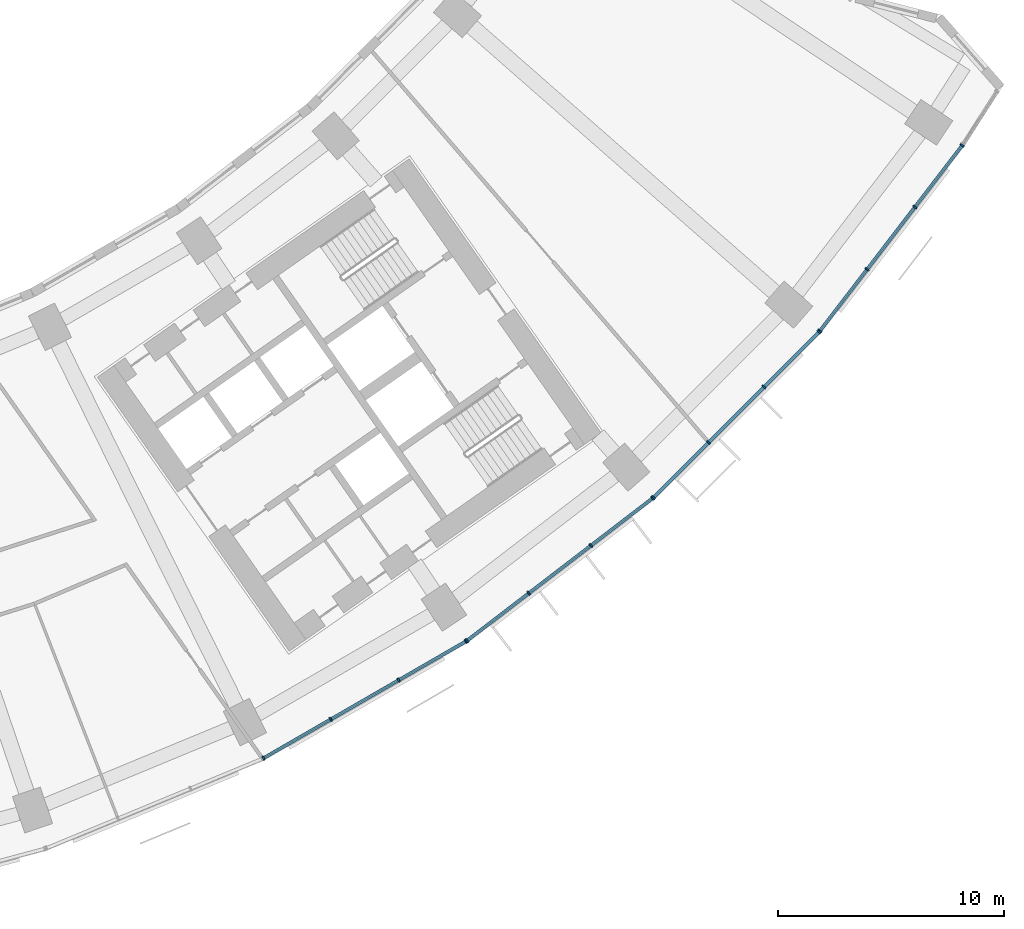
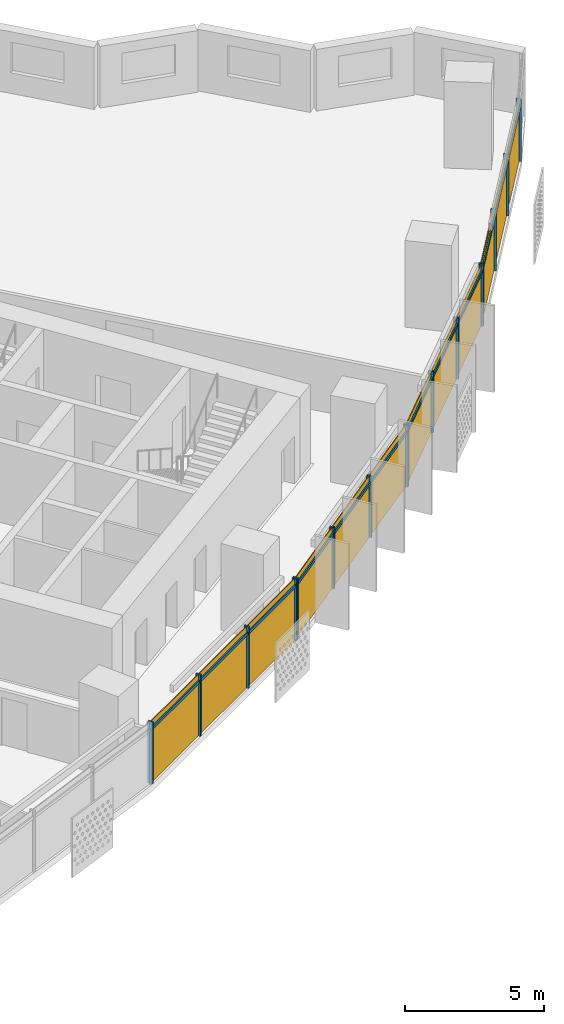
# One storey, part 23 of 31: 28 members, 4 curtain walls.
"""IFC4 building model written with IfcOpenShell, lengths in metres."""

from ifc_helpers import new_model, si_unit, direction, frame, origin, origin_2d, place, context, subcontext, project, spatial, rectangle, extrude, material, material_profile, profile_set, type_object, element, aggregate, save


model = new_model("IFC4")

# Units and contexts
model_context = context("Model", 3, precision=1e-05, world=origin(), true_north=direction((0.0, 1.0)))
body_context = subcontext(model_context, "Body", "Model", "MODEL_VIEW")
ifc_project = project(units=[si_unit("LENGTHUNIT", "METRE"), si_unit("AREAUNIT", "SQUARE_METRE"), si_unit("VOLUMEUNIT", "CUBIC_METRE"), si_unit("PLANEANGLEUNIT", "RADIAN"), si_unit("MASSUNIT", "GRAM", prefix="KILO")], contexts=[model_context])

# Member
ifc_material = material(Name="Aluminium 6063-T6 anodised", Category="aluminium")
ifc_material_profile_1 = material_profile(ifc_material, rectangle(XDim=0.199951171875, YDim=0.070068359375, at=origin_2d()))
ifc_profile_set_1 = profile_set([ifc_material_profile_1], Name="Aluminium 6063-T6 anodised")
member_type_1 = type_object("IfcMemberType", Name="Mullion 70 x 200 aluminium", PredefinedType="MULLION", material=ifc_profile_set_1)
site_placement = place(None, origin())
building_placement = place(site_placement, origin())
storey_placement = place(building_placement, frame((0.0, 0.0, 74.699951171875)))
member_1_placement = place(storey_placement, frame((35.20849609375, -71.331787109375, 0.0), z_axis=(0.0, 0.0, 1.0), x_axis=(-0.5, 0.866025403784, 0.0)))
member_1 = element("IfcMember", 1, at=member_1_placement, type_object=member_type_1, Name="e-cw1-L15-out12/M00", PredefinedType="MULLION", context=body_context, shape_type="SweptSolid", body=[
    extrude(rectangle(XDim=0.199951171875, YDim=0.070068359375, at=origin_2d()), origin(), (0.0, 0.0, 1.0), 2.699951171875),
])

member_2_placement = place(storey_placement, frame((38.18603515625, -69.61279296875, 0.0), z_axis=(0.0, 0.0, 1.0), x_axis=(-0.5, 0.866025403784, 0.0)))
member_2 = element("IfcMember", 2, at=member_2_placement, type_object=member_type_1, Name="e-cw1-L15-out12/M01", PredefinedType="MULLION", context=body_context, shape_type="SweptSolid", body=[
    extrude(rectangle(XDim=0.199951171875, YDim=0.070068359375, at=origin_2d()), origin(), (0.0, 0.0, 1.0), 2.699951171875),
])

member_3_placement = place(storey_placement, frame((41.193603515625, -67.87646484375, 0.0), z_axis=(0.0, 0.0, 1.0), x_axis=(-0.5, 0.866025403784, 0.0)))
member_3 = element("IfcMember", 3, at=member_3_placement, type_object=member_type_1, Name="e-cw1-L15-out12/M02", PredefinedType="MULLION", context=body_context, shape_type="SweptSolid", body=[
    extrude(rectangle(XDim=0.199951171875, YDim=0.070068359375, at=origin_2d()), origin(), (0.0, 0.0, 1.0), 2.699951171875),
])

member_4_placement = place(storey_placement, frame((44.1708984375, -66.157470703125, 0.0), z_axis=(0.0, 0.0, 1.0), x_axis=(-0.5, 0.866025403784, 0.0)))
member_4 = element("IfcMember", 4, at=member_4_placement, type_object=member_type_1, Name="e-cw1-L15-out12/M03", PredefinedType="MULLION", context=body_context, shape_type="SweptSolid", body=[
    extrude(rectangle(XDim=0.199951171875, YDim=0.070068359375, at=origin_2d()), origin(), (0.0, 0.0, 1.0), 2.699951171875),
])

member_5_placement = place(storey_placement, frame((44.218017578125, -66.1259765625, 0.0), z_axis=(0.0, 0.0, 1.0), x_axis=(-0.608761429009, 0.793353340291, 0.0)))
member_5 = element("IfcMember", 5, at=member_5_placement, type_object=member_type_1, Name="e-cw1-L15-out13/M00", PredefinedType="MULLION", context=body_context, shape_type="SweptSolid", body=[
    extrude(rectangle(XDim=0.199951171875, YDim=0.070068359375, at=origin_2d()), origin(), (0.0, 0.0, 1.0), 2.699951171875),
])

member_6_placement = place(storey_placement, frame((46.945556640625, -64.032958984375, 0.0), z_axis=(0.0, 0.0, 1.0), x_axis=(-0.608761429009, 0.793353340291, 0.0)))
member_6 = element("IfcMember", 6, at=member_6_placement, type_object=member_type_1, Name="e-cw1-L15-out13/M01", PredefinedType="MULLION", context=body_context, shape_type="SweptSolid", body=[
    extrude(rectangle(XDim=0.199951171875, YDim=0.070068359375, at=origin_2d()), origin(), (0.0, 0.0, 1.0), 2.699951171875),
])

member_7_placement = place(storey_placement, frame((49.70068359375, -61.9189453125, 0.0), z_axis=(0.0, 0.0, 1.0), x_axis=(-0.608761429009, 0.793353340291, 0.0)))
member_7 = element("IfcMember", 7, at=member_7_placement, type_object=member_type_1, Name="e-cw1-L15-out13/M02", PredefinedType="MULLION", context=body_context, shape_type="SweptSolid", body=[
    extrude(rectangle(XDim=0.199951171875, YDim=0.070068359375, at=origin_2d()), origin(), (0.0, 0.0, 1.0), 2.699951171875),
])

member_8_placement = place(storey_placement, frame((52.42822265625, -59.825927734375, 0.0), z_axis=(0.0, 0.0, 1.0), x_axis=(-0.608761429009, 0.793353340291, 0.0)))
member_8 = element("IfcMember", 8, at=member_8_placement, type_object=member_type_1, Name="e-cw1-L15-out13/M03", PredefinedType="MULLION", context=body_context, shape_type="SweptSolid", body=[
    extrude(rectangle(XDim=0.199951171875, YDim=0.070068359375, at=origin_2d()), origin(), (0.0, 0.0, 1.0), 2.699951171875),
])

member_9_placement = place(storey_placement, frame((52.470947265625, -59.78857421875, 0.0), z_axis=(0.0, 0.0, 1.0), x_axis=(-0.707106781187, 0.707106781187, 0.0)))
member_9 = element("IfcMember", 9, at=member_9_placement, type_object=member_type_1, Name="e-cw1-L15-out14/M00", PredefinedType="MULLION", context=body_context, shape_type="SweptSolid", body=[
    extrude(rectangle(XDim=0.199951171875, YDim=0.070068359375, at=origin_2d()), origin(), (0.0, 0.0, 1.0), 2.699951171875),
])

member_10_placement = place(storey_placement, frame((54.90185546875, -57.357666015625, 0.0), z_axis=(0.0, 0.0, 1.0), x_axis=(-0.707106781187, 0.707106781187, 0.0)))
member_10 = element("IfcMember", 10, at=member_10_placement, type_object=member_type_1, Name="e-cw1-L15-out14/M01", PredefinedType="MULLION", context=body_context, shape_type="SweptSolid", body=[
    extrude(rectangle(XDim=0.199951171875, YDim=0.070068359375, at=origin_2d()), origin(), (0.0, 0.0, 1.0), 2.699951171875),
])

member_11_placement = place(storey_placement, frame((57.357666015625, -54.90185546875, 0.0), z_axis=(0.0, 0.0, 1.0), x_axis=(-0.707106781187, 0.707106781187, 0.0)))
member_11 = element("IfcMember", 11, at=member_11_placement, type_object=member_type_1, Name="e-cw1-L15-out14/M02", PredefinedType="MULLION", context=body_context, shape_type="SweptSolid", body=[
    extrude(rectangle(XDim=0.199951171875, YDim=0.070068359375, at=origin_2d()), origin(), (0.0, 0.0, 1.0), 2.699951171875),
])

member_12_placement = place(storey_placement, frame((59.78857421875, -52.470947265625, 0.0), z_axis=(0.0, 0.0, 1.0), x_axis=(-0.707106781187, 0.707106781187, 0.0)))
member_12 = element("IfcMember", 12, at=member_12_placement, type_object=member_type_1, Name="e-cw1-L15-out14/M03", PredefinedType="MULLION", context=body_context, shape_type="SweptSolid", body=[
    extrude(rectangle(XDim=0.199951171875, YDim=0.070068359375, at=origin_2d()), origin(), (0.0, 0.0, 1.0), 2.699951171875),
])

member_13_placement = place(storey_placement, frame((59.825927734375, -52.42822265625, 0.0), z_axis=(0.0, 0.0, 1.0), x_axis=(-0.793353340291, 0.608761429009, 0.0)))
member_13 = element("IfcMember", 13, at=member_13_placement, type_object=member_type_1, Name="e-cw1-L15-out15/M00", PredefinedType="MULLION", context=body_context, shape_type="SweptSolid", body=[
    extrude(rectangle(XDim=0.199951171875, YDim=0.070068359375, at=origin_2d()), origin(), (0.0, 0.0, 1.0), 2.699951171875),
])

member_14_placement = place(storey_placement, frame((61.9189453125, -49.70068359375, 0.0), z_axis=(0.0, 0.0, 1.0), x_axis=(-0.793353340291, 0.608761429009, 0.0)))
member_14 = element("IfcMember", 14, at=member_14_placement, type_object=member_type_1, Name="e-cw1-L15-out15/M01", PredefinedType="MULLION", context=body_context, shape_type="SweptSolid", body=[
    extrude(rectangle(XDim=0.199951171875, YDim=0.070068359375, at=origin_2d()), origin(), (0.0, 0.0, 1.0), 2.699951171875),
])

member_15_placement = place(storey_placement, frame((64.032958984375, -46.945556640625, 0.0), z_axis=(0.0, 0.0, 1.0), x_axis=(-0.793353340291, 0.608761429009, 0.0)))
member_15 = element("IfcMember", 15, at=member_15_placement, type_object=member_type_1, Name="e-cw1-L15-out15/M02", PredefinedType="MULLION", context=body_context, shape_type="SweptSolid", body=[
    extrude(rectangle(XDim=0.199951171875, YDim=0.070068359375, at=origin_2d()), origin(), (0.0, 0.0, 1.0), 2.699951171875),
])

member_16_placement = place(storey_placement, frame((66.1259765625, -44.218017578125, 0.0), z_axis=(0.0, 0.0, 1.0), x_axis=(-0.793353340291, 0.608761429009, 0.0)))
member_16 = element("IfcMember", 16, at=member_16_placement, type_object=member_type_1, Name="e-cw1-L15-out15/M03", PredefinedType="MULLION", context=body_context, shape_type="SweptSolid", body=[
    extrude(rectangle(XDim=0.199951171875, YDim=0.070068359375, at=origin_2d()), origin(), (0.0, 0.0, 1.0), 2.699951171875),
])

ifc_material_profile_2 = material_profile(ifc_material, rectangle(XDim=0.139892578125, YDim=0.1201171875, at=origin_2d()))
ifc_profile_set_2 = profile_set([ifc_material_profile_2], Name="Aluminium 6063-T6 anodised")
member_type_2 = type_object("IfcMemberType", Name="Transom 120 x 140 aluminium", PredefinedType="USERDEFINED", material=ifc_profile_set_2)
member_17_placement = place(storey_placement, frame((35.239013671875, -71.314208984375, 2.400146484375), z_axis=(0.866026229868, 0.499998569178, 0.0), x_axis=(-0.499998569178, 0.866026229868, 0.0)))
member_17 = element("IfcMember", 17, at=member_17_placement, type_object=member_type_2, Name="e-cw1-L15-out12/T00", ObjectType="TRANSOM", PredefinedType="USERDEFINED", context=body_context, shape_type="SweptSolid", body=[
    extrude(rectangle(XDim=0.139892578125, YDim=0.1201171875, at=origin_2d()), origin(), (0.0, 0.0, 1.0), 3.36767578125),
])

member_18_placement = place(storey_placement, frame((38.21630859375, -69.595458984375, 2.400146484375), z_axis=(0.866000398227, 0.500043308395, 0.0), x_axis=(-0.500043308395, 0.866000398227, 0.0)))
member_18 = element("IfcMember", 18, at=member_18_placement, type_object=member_type_2, Name="e-cw1-L15-out12/T01", ObjectType="TRANSOM", PredefinedType="USERDEFINED", context=body_context, shape_type="SweptSolid", body=[
    extrude(rectangle(XDim=0.139892578125, YDim=0.1201171875, at=origin_2d()), origin(), (0.0, 0.0, 1.0), 3.403076171875),
])

member_19_placement = place(storey_placement, frame((41.223876953125, -67.85888671875, 2.400146484375), z_axis=(0.866044351828, 0.49996717959, 0.0), x_axis=(-0.49996717959, 0.866044351828, 0.0)))
member_19 = element("IfcMember", 19, at=member_19_placement, type_object=member_type_2, Name="e-cw1-L15-out12/T02", ObjectType="TRANSOM", PredefinedType="USERDEFINED", context=body_context, shape_type="SweptSolid", body=[
    extrude(rectangle(XDim=0.139892578125, YDim=0.1201171875, at=origin_2d()), origin(), (0.0, 0.0, 1.0), 3.367919921875),
])

member_20_placement = place(storey_placement, frame((44.245849609375, -66.1044921875, 2.400146484375), z_axis=(0.793375276742, 0.608732839803, 0.0), x_axis=(-0.608732839803, 0.793375276742, 0.0)))
member_20 = element("IfcMember", 20, at=member_20_placement, type_object=member_type_2, Name="e-cw1-L15-out13/T00", ObjectType="TRANSOM", PredefinedType="USERDEFINED", context=body_context, shape_type="SweptSolid", body=[
    extrude(rectangle(XDim=0.139892578125, YDim=0.1201171875, at=origin_2d()), origin(), (0.0, 0.0, 1.0), 3.36767578125),
])

member_21_placement = place(storey_placement, frame((46.973388671875, -64.01171875, 2.400146484375), z_axis=(0.793356868815, 0.60875683052, 0.0), x_axis=(-0.60875683052, 0.793356868815, 0.0)))
member_21 = element("IfcMember", 21, at=member_21_placement, type_object=member_type_2, Name="e-cw1-L15-out13/T01", ObjectType="TRANSOM", PredefinedType="USERDEFINED", context=body_context, shape_type="SweptSolid", body=[
    extrude(rectangle(XDim=0.139892578125, YDim=0.1201171875, at=origin_2d()), origin(), (0.0, 0.0, 1.0), 3.40283203125),
])

member_22_placement = place(storey_placement, frame((49.728515625, -61.8974609375, 2.400146484375), z_axis=(0.793375276742, 0.608732839803, 0.0), x_axis=(-0.608732839803, 0.793375276742, 0.0)))
member_22 = element("IfcMember", 22, at=member_22_placement, type_object=member_type_2, Name="e-cw1-L15-out13/T02", ObjectType="TRANSOM", PredefinedType="USERDEFINED", context=body_context, shape_type="SweptSolid", body=[
    extrude(rectangle(XDim=0.139892578125, YDim=0.1201171875, at=origin_2d()), origin(), (0.0, 0.0, 1.0), 3.36767578125),
])

member_23_placement = place(storey_placement, frame((52.49560546875, -59.763916015625, 2.400146484375), z_axis=(0.707106781187, 0.707106781187, 0.0), x_axis=(-0.707106781187, 0.707106781187, 0.0)))
member_23 = element("IfcMember", 23, at=member_23_placement, type_object=member_type_2, Name="e-cw1-L15-out14/T00", ObjectType="TRANSOM", PredefinedType="USERDEFINED", context=body_context, shape_type="SweptSolid", body=[
    extrude(rectangle(XDim=0.139892578125, YDim=0.1201171875, at=origin_2d()), origin(), (0.0, 0.0, 1.0), 3.3681640625),
])

member_24_placement = place(storey_placement, frame((54.9267578125, -57.332763671875, 2.400146484375), z_axis=(0.707106781187, 0.707106781187, 0.0), x_axis=(-0.707106781187, 0.707106781187, 0.0)))
member_24 = element("IfcMember", 24, at=member_24_placement, type_object=member_type_2, Name="e-cw1-L15-out14/T01", ObjectType="TRANSOM", PredefinedType="USERDEFINED", context=body_context, shape_type="SweptSolid", body=[
    extrude(rectangle(XDim=0.139892578125, YDim=0.1201171875, at=origin_2d()), origin(), (0.0, 0.0, 1.0), 3.402587890625),
])

member_25_placement = place(storey_placement, frame((57.38232421875, -54.877197265625, 2.400146484375), z_axis=(0.707106781187, 0.707106781187, 0.0), x_axis=(-0.707106781187, 0.707106781187, 0.0)))
member_25 = element("IfcMember", 25, at=member_25_placement, type_object=member_type_2, Name="e-cw1-L15-out14/T02", ObjectType="TRANSOM", PredefinedType="USERDEFINED", context=body_context, shape_type="SweptSolid", body=[
    extrude(rectangle(XDim=0.139892578125, YDim=0.1201171875, at=origin_2d()), origin(), (0.0, 0.0, 1.0), 3.3681640625),
])

member_26_placement = place(storey_placement, frame((59.847412109375, -52.400390625, 2.400146484375), z_axis=(0.608732839803, 0.793375276742, 0.0), x_axis=(-0.793375276742, 0.608732839803, 0.0)))
member_26 = element("IfcMember", 26, at=member_26_placement, type_object=member_type_2, Name="e-cw1-L15-out15/T00", ObjectType="TRANSOM", PredefinedType="USERDEFINED", context=body_context, shape_type="SweptSolid", body=[
    extrude(rectangle(XDim=0.139892578125, YDim=0.1201171875, at=origin_2d()), origin(), (0.0, 0.0, 1.0), 3.36767578125),
])

member_27_placement = place(storey_placement, frame((61.940185546875, -49.673095703125, 2.400146484375), z_axis=(0.60875683052, 0.793356868815, 0.0), x_axis=(-0.793356868815, 0.60875683052, 0.0)))
member_27 = element("IfcMember", 27, at=member_27_placement, type_object=member_type_2, Name="e-cw1-L15-out15/T01", ObjectType="TRANSOM", PredefinedType="USERDEFINED", context=body_context, shape_type="SweptSolid", body=[
    extrude(rectangle(XDim=0.139892578125, YDim=0.1201171875, at=origin_2d()), origin(), (0.0, 0.0, 1.0), 3.40283203125),
])

member_28_placement = place(storey_placement, frame((64.054443359375, -46.917724609375, 2.400146484375), z_axis=(0.608732839803, 0.793375276742, 0.0), x_axis=(-0.793375276742, 0.608732839803, 0.0)))
member_28 = element("IfcMember", 28, at=member_28_placement, type_object=member_type_2, Name="e-cw1-L15-out15/T02", ObjectType="TRANSOM", PredefinedType="USERDEFINED", context=body_context, shape_type="SweptSolid", body=[
    extrude(rectangle(XDim=0.139892578125, YDim=0.1201171875, at=origin_2d()), origin(), (0.0, 0.0, 1.0), 3.36767578125),
])

# Site, building, storey
site = spatial("IfcSite", under=ifc_project, at=site_placement, CompositionType="ELEMENT")
building = spatial("IfcBuilding", under=site, at=building_placement, Name="Qamariyya Broadcast Tower", CompositionType="ELEMENT")
storey = spatial("IfcBuildingStorey", under=building, at=storey_placement, Name="L15", CompositionType="ELEMENT", Elevation=74.699951171875)

# Curtain wall
curtain_wall_type = type_object("IfcCurtainWallType", Name="Unitised curtain wall, anodised aluminium", PredefinedType="NOTDEFINED", material=ifc_material)
curtain_wall_1_placement = place(storey_placement, origin())
curtain_wall_1 = element("IfcCurtainWall", 29, at=curtain_wall_1_placement, inside=storey, type_object=curtain_wall_type, Name="e-cw1-L15-out12", PredefinedType="NOTDEFINED", context=body_context, shape_type="SweptSolid", body=[
    extrude(rectangle(XDim=3.367919921875, YDim=0.031982421875, at=origin_2d()), frame((36.697265625, -70.472412109375, 0.0), x_axis=(0.86602247392, 0.500005074639, 0.0)), (0.0, 0.0, 1.0), 2.340087890625),
    extrude(rectangle(XDim=3.367919921875, YDim=0.031982421875, at=origin_2d()), frame((36.697265625, -70.472412109375, 2.4599609375), x_axis=(0.86602247392, 0.500005074639, 0.0)), (0.0, 0.0, 1.0), 0.239990234375),
    extrude(rectangle(XDim=3.40283203125, YDim=0.031982421875, at=origin_2d()), frame((39.689697265625, -68.74462890625, 0.0), x_axis=(0.86602247392, 0.500005074639, 0.0)), (0.0, 0.0, 1.0), 2.340087890625),
    extrude(rectangle(XDim=3.40283203125, YDim=0.031982421875, at=origin_2d()), frame((39.689697265625, -68.74462890625, 2.4599609375), x_axis=(0.86602247392, 0.500005074639, 0.0)), (0.0, 0.0, 1.0), 0.239990234375),
    extrude(rectangle(XDim=3.367919921875, YDim=0.031982421875, at=origin_2d()), frame((42.68212890625, -67.016845703125, 0.0), x_axis=(0.86602247392, 0.500005074639, 0.0)), (0.0, 0.0, 1.0), 2.340087890625),
    extrude(rectangle(XDim=3.367919921875, YDim=0.031982421875, at=origin_2d()), frame((42.68212890625, -67.016845703125, 2.4599609375), x_axis=(0.86602247392, 0.500005074639, 0.0)), (0.0, 0.0, 1.0), 0.239990234375),
])

aggregate(curtain_wall_1, [member_1, member_2, member_3, member_4, member_17, member_18, member_19])

curtain_wall_2_placement = place(storey_placement, origin())
curtain_wall_2 = element("IfcCurtainWall", 30, at=curtain_wall_2_placement, inside=storey, type_object=curtain_wall_type, Name="e-cw1-L15-out13", PredefinedType="NOTDEFINED", context=body_context, shape_type="SweptSolid", body=[
    extrude(rectangle(XDim=3.367919921875, YDim=0.031982421875, at=origin_2d()), frame((45.581787109375, -65.07958984375, 0.0), x_axis=(0.79335775203, 0.608755679475, 0.0)), (0.0, 0.0, 1.0), 2.340087890625),
    extrude(rectangle(XDim=3.367919921875, YDim=0.031982421875, at=origin_2d()), frame((45.581787109375, -65.07958984375, 2.4599609375), x_axis=(0.79335775203, 0.608755679475, 0.0)), (0.0, 0.0, 1.0), 0.239990234375),
    extrude(rectangle(XDim=3.40283203125, YDim=0.031982421875, at=origin_2d()), frame((48.3232421875, -62.97607421875, 0.0), x_axis=(0.79335775203, 0.608755679475, 0.0)), (0.0, 0.0, 1.0), 2.340087890625),
    extrude(rectangle(XDim=3.40283203125, YDim=0.031982421875, at=origin_2d()), frame((48.3232421875, -62.97607421875, 2.4599609375), x_axis=(0.79335775203, 0.608755679475, 0.0)), (0.0, 0.0, 1.0), 0.239990234375),
    extrude(rectangle(XDim=3.367919921875, YDim=0.031982421875, at=origin_2d()), frame((51.064453125, -60.872314453125, 0.0), x_axis=(0.79335775203, 0.608755679475, 0.0)), (0.0, 0.0, 1.0), 2.340087890625),
    extrude(rectangle(XDim=3.367919921875, YDim=0.031982421875, at=origin_2d()), frame((51.064453125, -60.872314453125, 2.4599609375), x_axis=(0.79335775203, 0.608755679475, 0.0)), (0.0, 0.0, 1.0), 0.239990234375),
])

aggregate(curtain_wall_2, [member_5, member_6, member_7, member_8, member_20, member_21, member_22])

curtain_wall_3_placement = place(storey_placement, origin())
curtain_wall_3 = element("IfcCurtainWall", 31, at=curtain_wall_3_placement, inside=storey, type_object=curtain_wall_type, Name="e-cw1-L15-out14", PredefinedType="NOTDEFINED", context=body_context, shape_type="SweptSolid", body=[
    extrude(rectangle(XDim=3.367919921875, YDim=0.031982421875, at=origin_2d()), frame((53.6865234375, -58.572998046875, 0.0), x_axis=(0.707106781187, 0.707106781187, 0.0)), (0.0, 0.0, 1.0), 2.340087890625),
    extrude(rectangle(XDim=3.367919921875, YDim=0.031982421875, at=origin_2d()), frame((53.6865234375, -58.572998046875, 2.4599609375), x_axis=(0.707106781187, 0.707106781187, 0.0)), (0.0, 0.0, 1.0), 0.239990234375),
    extrude(rectangle(XDim=3.40283203125, YDim=0.031982421875, at=origin_2d()), frame((56.1298828125, -56.1298828125, 0.0), x_axis=(0.707106781187, 0.707106781187, 0.0)), (0.0, 0.0, 1.0), 2.340087890625),
    extrude(rectangle(XDim=3.40283203125, YDim=0.031982421875, at=origin_2d()), frame((56.1298828125, -56.1298828125, 2.4599609375), x_axis=(0.707106781187, 0.707106781187, 0.0)), (0.0, 0.0, 1.0), 0.239990234375),
    extrude(rectangle(XDim=3.367919921875, YDim=0.031982421875, at=origin_2d()), frame((58.572998046875, -53.6865234375, 0.0), x_axis=(0.707106781187, 0.707106781187, 0.0)), (0.0, 0.0, 1.0), 2.340087890625),
    extrude(rectangle(XDim=3.367919921875, YDim=0.031982421875, at=origin_2d()), frame((58.572998046875, -53.6865234375, 2.4599609375), x_axis=(0.707106781187, 0.707106781187, 0.0)), (0.0, 0.0, 1.0), 0.239990234375),
])

aggregate(curtain_wall_3, [member_9, member_10, member_11, member_12, member_23, member_24, member_25])

curtain_wall_4_placement = place(storey_placement, origin())
curtain_wall_4 = element("IfcCurtainWall", 32, at=curtain_wall_4_placement, inside=storey, type_object=curtain_wall_type, Name="e-cw1-L15-out15", PredefinedType="NOTDEFINED", context=body_context, shape_type="SweptSolid", body=[
    extrude(rectangle(XDim=3.367919921875, YDim=0.031982421875, at=origin_2d()), frame((60.872314453125, -51.064453125, 0.0), x_axis=(0.608755679475, 0.79335775203, 0.0)), (0.0, 0.0, 1.0), 2.340087890625),
    extrude(rectangle(XDim=3.367919921875, YDim=0.031982421875, at=origin_2d()), frame((60.872314453125, -51.064453125, 2.4599609375), x_axis=(0.608755679475, 0.79335775203, 0.0)), (0.0, 0.0, 1.0), 0.239990234375),
    extrude(rectangle(XDim=3.40283203125, YDim=0.031982421875, at=origin_2d()), frame((62.97607421875, -48.3232421875, 0.0), x_axis=(0.608755679475, 0.79335775203, 0.0)), (0.0, 0.0, 1.0), 2.340087890625),
    extrude(rectangle(XDim=3.40283203125, YDim=0.031982421875, at=origin_2d()), frame((62.97607421875, -48.3232421875, 2.4599609375), x_axis=(0.608755679475, 0.79335775203, 0.0)), (0.0, 0.0, 1.0), 0.239990234375),
    extrude(rectangle(XDim=3.367919921875, YDim=0.031982421875, at=origin_2d()), frame((65.07958984375, -45.581787109375, 0.0), x_axis=(0.608755679475, 0.79335775203, 0.0)), (0.0, 0.0, 1.0), 2.340087890625),
    extrude(rectangle(XDim=3.367919921875, YDim=0.031982421875, at=origin_2d()), frame((65.07958984375, -45.581787109375, 2.4599609375), x_axis=(0.608755679475, 0.79335775203, 0.0)), (0.0, 0.0, 1.0), 0.239990234375),
])

aggregate(curtain_wall_4, [member_13, member_14, member_15, member_16, member_26, member_27, member_28])

save(model, "model.ifc")
